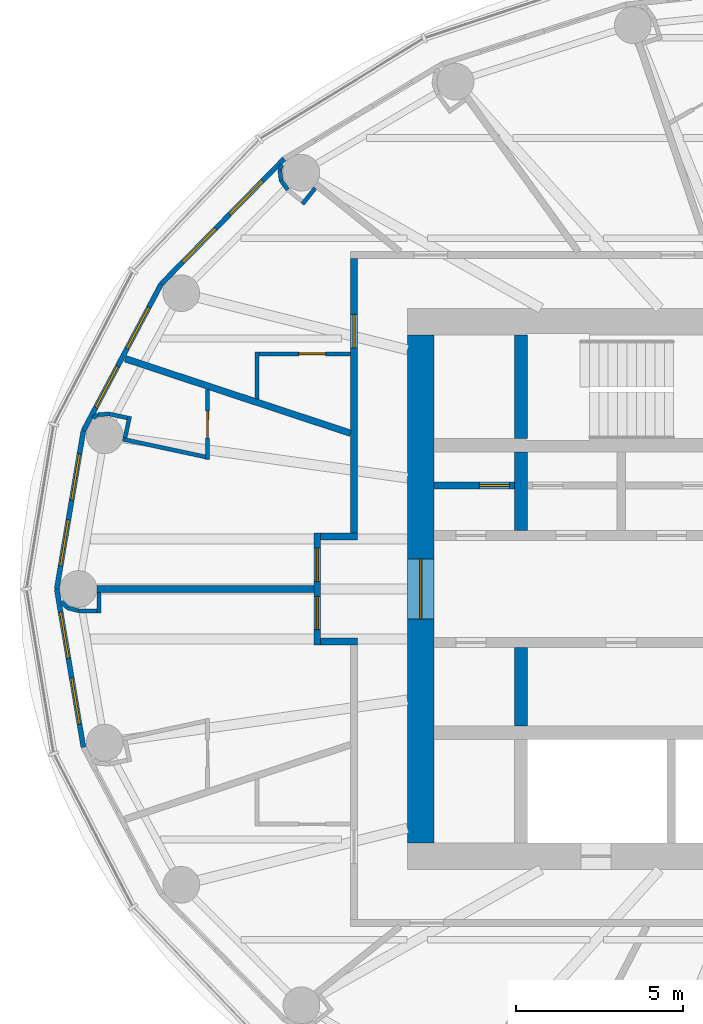
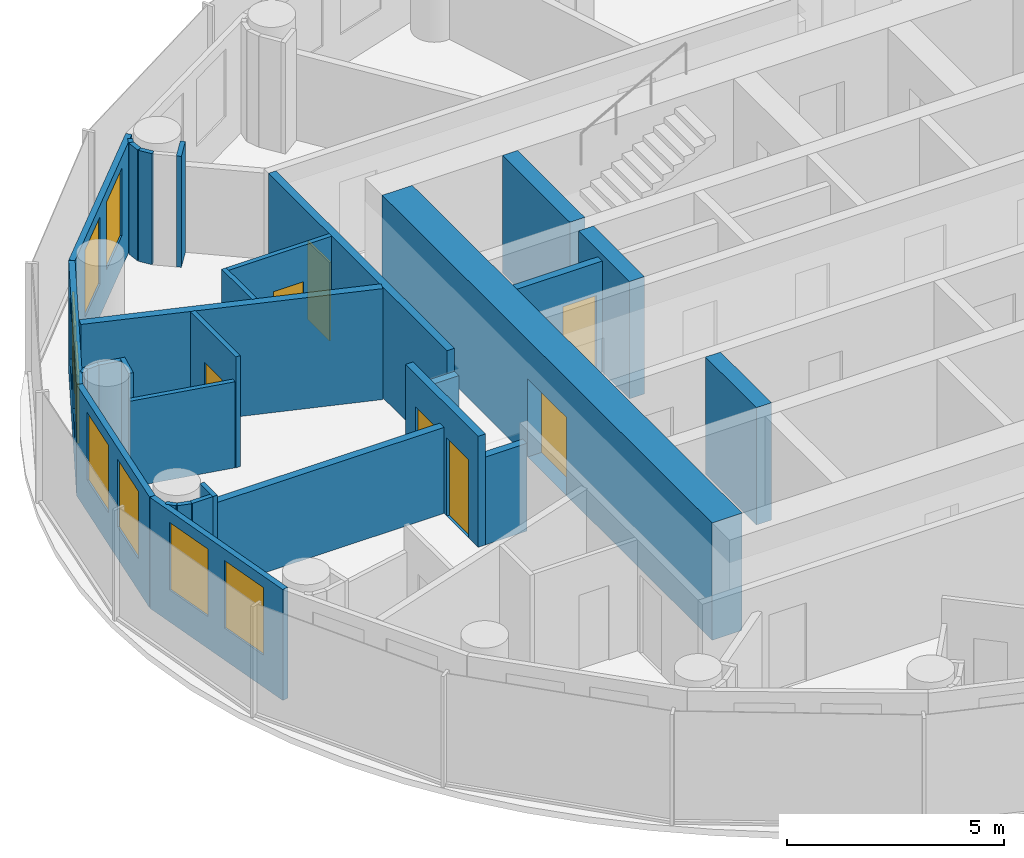
# One storey, part 8 of 13: 31 walls, 8 windows, 7 doors, 15 openings.
"""IFC4 building model written with IfcOpenShell, lengths in metres."""

from ifc_helpers import new_model, si_unit, direction, frame, frame_2d, origin, place, context, subcontext, project, spatial, rectangle, extrude, material, layer, layer_set, type_object, element, fill, save


model = new_model("IFC4")

# Units and contexts
model_context = context("Model", 3, precision=1e-05, world=origin(), true_north=direction((0.0, 1.0)))
body_context = subcontext(model_context, "Body", "Model", "MODEL_VIEW")
ifc_project = project(units=[si_unit("LENGTHUNIT", "METRE"), si_unit("AREAUNIT", "SQUARE_METRE"), si_unit("VOLUMEUNIT", "CUBIC_METRE"), si_unit("PLANEANGLEUNIT", "RADIAN"), si_unit("MASSUNIT", "GRAM", prefix="KILO")], contexts=[model_context])

# Site, building, storey
site_placement = place(None, origin())
site = spatial("IfcSite", under=ifc_project, at=site_placement, CompositionType="ELEMENT")
building_placement = place(site_placement, origin())
building = spatial("IfcBuilding", under=site, at=building_placement, Name="Hankou Lantern Tower", CompositionType="ELEMENT")
storey_placement = place(building_placement, frame((0.0, 0.0, 159.89990234375)))
storey = spatial("IfcBuildingStorey", under=building, at=storey_placement, Name="L42", CompositionType="ELEMENT", Elevation=159.89990234375)

# Wall, opening, door
ifc_material_1 = material(Name="Concrete C60", Category="concrete")
ifc_layer_1 = layer(ifc_material_1, 0.800048828125)
ifc_layer_set_1 = layer_set([ifc_layer_1], Name="Concrete C60")
wall_type_1 = type_object("IfcWallType", Name="CW2 CORE WALL 800", PredefinedType="SHEAR", material=ifc_layer_set_1)
wall_1_placement = place(storey_placement, frame((-12.0, 7.60009765625, 0.0), z_axis=(0.0, 0.0, 1.0), x_axis=(0.0, -1.0, 0.0)))
wall_1 = element("IfcWall", 1, at=wall_1_placement, inside=storey, type_object=wall_type_1, Name="Core wall west L42", PredefinedType="SHEAR", context=body_context, shape_type="SweptSolid", body=[
    extrude(rectangle(XDim=15.2001953125, YDim=0.800048828125, at=frame_2d((7.60009765625, 0.0))), origin(), (0.0, 0.0, 1.0), 3.300048828125),
])
opening_1_placement = place(wall_1_placement, frame((6.699951171875, 0.0, 0.0)))
opening_1 = element("IfcOpeningElement", 2, at=opening_1_placement, cuts=wall_1, Name="Opening D6", PredefinedType="OPENING", context=body_context, shape_type="SweptSolid", body=[
    extrude(rectangle(XDim=1.800048828125, YDim=2.199951171875, at=frame_2d((0.89990234375, 1.10009765625))), frame((0.0, 0.409912109375, 0.0), z_axis=(0.0, -1.0, 0.0), x_axis=(1.0, 0.0, 0.0)), (0.0, 0.0, 1.0), 0.820068359375),
])
ifc_material_2 = material(Name="Steel door leaf", Category="steel")
door_type_1 = type_object("IfcDoorType", Name="D6 LIFT LOBBY DOOR 1800X2200", OperationType="DOUBLE_DOOR_DOUBLE_SWING", PredefinedType="DOOR", material=ifc_material_2)
door_1_placement = place(opening_1_placement, origin())
door_1 = element("IfcDoor", 3, at=door_1_placement, inside=storey, type_object=door_type_1, Name="Lift lobby west door", OperationType="DOUBLE_DOOR_DOUBLE_SWING", OverallHeight=2.199951171875, OverallWidth=1.800048828125, PredefinedType="DOOR", context=body_context, shape_type="SweptSolid", body=[
    extrude(rectangle(XDim=1.800048828125, YDim=2.199951171875, at=frame_2d((0.89990234375, 1.10009765625))), frame((0.0, 0.02490234375, 0.0), z_axis=(0.0, -1.0, 0.0), x_axis=(1.0, 0.0, 0.0)), (0.0, 0.0, 1.0), 0.050048828125),
])
fill(opening_1, door_1)

# Walls
ifc_material_3 = material(Name="Concrete C60", Category="concrete")
ifc_layer_2 = layer(ifc_material_3, 0.39990234375)
ifc_layer_set_2 = layer_set([ifc_layer_2], Name="Concrete C60")
wall_type_2 = type_object("IfcWallType", Name="CW4 CORE CROSS WALL 400", PredefinedType="SHEAR", material=ifc_layer_set_2)
wall_2_placement = place(storey_placement, frame((-9.0, 4.5, 0.0), z_axis=(0.0, 0.0, 1.0), x_axis=(0.0, 1.0, 0.0)))
element("IfcWall", 4, at=wall_2_placement, inside=storey, type_object=wall_type_2, Name="Core strip wall L42", PredefinedType="SHEAR", context=body_context, shape_type="SweptSolid", body=[
    extrude(rectangle(XDim=3.10009765625, YDim=0.39990234375, at=frame_2d((1.550048828125, 0.0))), origin(), (0.0, 0.0, 1.0), 3.300048828125),
])
for number, where, z_axis, x_axis, name in (
    (5, (-9.0, 1.75, 0.0), (0.0, 0.0, 1.0), (0.0, 1.0, 0.0), "Core strip wall L42"),
    (6, (-9.0, -4.10009765625, 0.0), (0.0, 0.0, 1.0), (0.0, 1.0, 0.0), "Core strip wall L42"),
):
    element("IfcWall", number, at=place(storey_placement, frame(where, z_axis=z_axis, x_axis=x_axis)), inside=storey, type_object=wall_type_2, Name=name, PredefinedType="SHEAR", context=body_context, shape_type="SweptSolid", body=[
        extrude(rectangle(XDim=2.35009765625, YDim=0.39990234375, at=frame_2d((1.175048828125, 0.0))), origin(), (0.0, 0.0, 1.0), 3.300048828125),
    ])

# Wall, openings, windows
ifc_material_4 = material(Name="Aluminium spandrel panel on steel studs", Category="steel")
ifc_layer_3 = layer(ifc_material_4, 0.14990234375)
ifc_layer_set_3 = layer_set([ifc_layer_3], Name="Aluminium spandrel panel on steel studs")
wall_type_3 = type_object("IfcWallType", Name="EW1 INNER SKIN WALL 150", PredefinedType="ELEMENTEDWALL", material=ifc_layer_set_3)
wall_3_placement = place(storey_placement, frame((-16.0947265625, 12.875732421875, 0.0), z_axis=(0.0, 0.0, 1.0), x_axis=(-0.700727467776, -0.71342905457, 0.0)))
wall_3 = element("IfcWall", 7, at=wall_3_placement, inside=storey, type_object=wall_type_3, Name="Inner skin R10-R11 L42", PredefinedType="ELEMENTEDWALL", context=body_context, shape_type="SweptSolid", body=[
    extrude(rectangle(XDim=5.247314453125, YDim=0.14990234375, at=frame_2d((2.62353515625, 0.0))), origin(), (0.0, 0.0, 1.0), 3.1201171875),
])
opening_2_placement = place(wall_3_placement, frame((0.923583984375, 0.0, 0.89990234375)))
opening_2 = element("IfcOpeningElement", 8, at=opening_2_placement, cuts=wall_3, Name="Opening W3", PredefinedType="OPENING", context=body_context, shape_type="SweptSolid", body=[
    extrude(rectangle(XDim=1.39990234375, YDim=1.89990234375, at=frame_2d((0.699951171875, 0.949951171875))), frame((0.0, 0.0849609375, 0.0), z_axis=(0.0, -1.0, 0.0), x_axis=(1.0, 0.0, 0.0)), (0.0, 0.0, 1.0), 0.169921875),
])
opening_3_placement = place(wall_3_placement, frame((2.923583984375, 0.0, 0.89990234375)))
opening_3 = element("IfcOpeningElement", 9, at=opening_3_placement, cuts=wall_3, Name="Opening W3", PredefinedType="OPENING", context=body_context, shape_type="SweptSolid", body=[
    extrude(rectangle(XDim=1.39990234375, YDim=1.89990234375, at=frame_2d((0.699951171875, 0.949951171875))), frame((0.0, 0.0849609375, 0.0), z_axis=(0.0, -1.0, 0.0), x_axis=(1.0, 0.0, 0.0)), (0.0, 0.0, 1.0), 0.169921875),
])
ifc_material_5 = material(Name="Aluminium framed double glazed window", Category="aluminium")
window_type = type_object("IfcWindowType", Name="W3 GUEST ROOM WINDOW 1400X1900", PartitioningType="DOUBLE_PANEL_VERTICAL", PredefinedType="WINDOW", material=ifc_material_5)
window_1_placement = place(opening_2_placement, origin())
window_1 = element("IfcWindow", 10, at=window_1_placement, inside=storey, type_object=window_type, Name="Window R10.1 L42", OverallHeight=1.89990234375, OverallWidth=1.39990234375, PartitioningType="SINGLE_PANEL", PredefinedType="WINDOW", context=body_context, shape_type="SweptSolid", body=[
    extrude(rectangle(XDim=1.39990234375, YDim=1.89990234375, at=frame_2d((0.699951171875, 0.949951171875))), frame((0.0, 0.030029296875, 0.0), z_axis=(0.0, -1.0, 0.0), x_axis=(1.0, 0.0, 0.0)), (0.0, 0.0, 1.0), 0.06005859375),
])
fill(opening_2, window_1)
window_2_placement = place(opening_3_placement, origin())
window_2 = element("IfcWindow", 11, at=window_2_placement, inside=storey, type_object=window_type, Name="Window R10.2 L42", OverallHeight=1.89990234375, OverallWidth=1.39990234375, PartitioningType="SINGLE_PANEL", PredefinedType="WINDOW", context=body_context, shape_type="SweptSolid", body=[
    extrude(rectangle(XDim=1.39990234375, YDim=1.89990234375, at=frame_2d((0.699951171875, 0.949951171875))), frame((0.0, 0.030029296875, 0.0), z_axis=(0.0, -1.0, 0.0), x_axis=(1.0, 0.0, 0.0)), (0.0, 0.0, 1.0), 0.06005859375),
])
fill(opening_3, window_2)

wall_4_placement = place(storey_placement, frame((-19.771728515625, 9.132080078125, 0.0), z_axis=(0.0, 0.0, 1.0), x_axis=(-0.468428906714, -0.883501193748, 0.0)))
wall_4 = element("IfcWall", 12, at=wall_4_placement, inside=storey, type_object=wall_type_3, Name="Inner skin R11-R12 L42", PredefinedType="ELEMENTEDWALL", context=body_context, shape_type="SweptSolid", body=[
    extrude(rectangle(XDim=4.9736328125, YDim=0.14990234375, at=frame_2d((2.48681640625, 0.0))), origin(), (0.0, 0.0, 1.0), 3.1201171875),
])
opening_4_placement = place(wall_4_placement, frame((0.786865234375, 0.0, 0.89990234375)))
opening_4 = element("IfcOpeningElement", 13, at=opening_4_placement, cuts=wall_4, Name="Opening W3", PredefinedType="OPENING", context=body_context, shape_type="SweptSolid", body=[
    extrude(rectangle(XDim=1.39990234375, YDim=1.89990234375, at=frame_2d((0.699951171875, 0.949951171875))), frame((0.0, 0.0849609375, 0.0), z_axis=(0.0, -1.0, 0.0), x_axis=(1.0, 0.0, 0.0)), (0.0, 0.0, 1.0), 0.169921875),
])
opening_5_placement = place(wall_4_placement, frame((2.786865234375, 0.0, 0.89990234375)))
opening_5 = element("IfcOpeningElement", 14, at=opening_5_placement, cuts=wall_4, Name="Opening W3", PredefinedType="OPENING", context=body_context, shape_type="SweptSolid", body=[
    extrude(rectangle(XDim=1.39990234375, YDim=1.89990234375, at=frame_2d((0.699951171875, 0.949951171875))), frame((0.0, 0.0849609375, 0.0), z_axis=(0.0, -1.0, 0.0), x_axis=(1.0, 0.0, 0.0)), (0.0, 0.0, 1.0), 0.169921875),
])
window_3_placement = place(opening_4_placement, origin())
window_3 = element("IfcWindow", 15, at=window_3_placement, inside=storey, type_object=window_type, Name="Window R11.1 L42", OverallHeight=1.89990234375, OverallWidth=1.39990234375, PartitioningType="SINGLE_PANEL", PredefinedType="WINDOW", context=body_context, shape_type="SweptSolid", body=[
    extrude(rectangle(XDim=1.39990234375, YDim=1.89990234375, at=frame_2d((0.699951171875, 0.949951171875))), frame((0.0, 0.030029296875, 0.0), z_axis=(0.0, -1.0, 0.0), x_axis=(1.0, 0.0, 0.0)), (0.0, 0.0, 1.0), 0.06005859375),
])
fill(opening_4, window_3)
window_4_placement = place(opening_5_placement, origin())
window_4 = element("IfcWindow", 16, at=window_4_placement, inside=storey, type_object=window_type, Name="Window R11.2 L42", OverallHeight=1.89990234375, OverallWidth=1.39990234375, PartitioningType="SINGLE_PANEL", PredefinedType="WINDOW", context=body_context, shape_type="SweptSolid", body=[
    extrude(rectangle(XDim=1.39990234375, YDim=1.89990234375, at=frame_2d((0.699951171875, 0.949951171875))), frame((0.0, 0.030029296875, 0.0), z_axis=(0.0, -1.0, 0.0), x_axis=(1.0, 0.0, 0.0)), (0.0, 0.0, 1.0), 0.06005859375),
])
fill(opening_5, window_4)

wall_5_placement = place(storey_placement, frame((-22.1015625, 4.73779296875, 0.0), z_axis=(0.0, 0.0, 1.0), x_axis=(-0.166162111254, -0.986098449843, 0.0)))
wall_5 = element("IfcWall", 17, at=wall_5_placement, inside=storey, type_object=wall_type_3, Name="Inner skin R12-R13 L42", PredefinedType="ELEMENTEDWALL", context=body_context, shape_type="SweptSolid", body=[
    extrude(rectangle(XDim=4.8046875, YDim=0.14990234375, at=frame_2d((2.40234375, 0.0))), origin(), (0.0, 0.0, 1.0), 3.1201171875),
])
opening_6_placement = place(wall_5_placement, frame((0.7021484375, 0.0, 0.89990234375)))
opening_6 = element("IfcOpeningElement", 18, at=opening_6_placement, cuts=wall_5, Name="Opening W3", PredefinedType="OPENING", context=body_context, shape_type="SweptSolid", body=[
    extrude(rectangle(XDim=1.39990234375, YDim=1.89990234375, at=frame_2d((0.699951171875, 0.949951171875))), frame((0.0, 0.0849609375, 0.0), z_axis=(0.0, -1.0, 0.0), x_axis=(1.0, 0.0, 0.0)), (0.0, 0.0, 1.0), 0.169921875),
])
opening_7_placement = place(wall_5_placement, frame((2.7021484375, 0.0, 0.89990234375)))
opening_7 = element("IfcOpeningElement", 19, at=opening_7_placement, cuts=wall_5, Name="Opening W3", PredefinedType="OPENING", context=body_context, shape_type="SweptSolid", body=[
    extrude(rectangle(XDim=1.39990234375, YDim=1.89990234375, at=frame_2d((0.699951171875, 0.949951171875))), frame((0.0, 0.0849609375, 0.0), z_axis=(0.0, -1.0, 0.0), x_axis=(1.0, 0.0, 0.0)), (0.0, 0.0, 1.0), 0.169921875),
])
window_5_placement = place(opening_6_placement, origin())
window_5 = element("IfcWindow", 20, at=window_5_placement, inside=storey, type_object=window_type, Name="Window R12.1 L42", OverallHeight=1.89990234375, OverallWidth=1.39990234375, PartitioningType="SINGLE_PANEL", PredefinedType="WINDOW", context=body_context, shape_type="SweptSolid", body=[
    extrude(rectangle(XDim=1.39990234375, YDim=1.89990234375, at=frame_2d((0.699951171875, 0.949951171875))), frame((0.0, 0.030029296875, 0.0), z_axis=(0.0, -1.0, 0.0), x_axis=(1.0, 0.0, 0.0)), (0.0, 0.0, 1.0), 0.06005859375),
])
fill(opening_6, window_5)
window_6_placement = place(opening_7_placement, origin())
window_6 = element("IfcWindow", 21, at=window_6_placement, inside=storey, type_object=window_type, Name="Window R12.2 L42", OverallHeight=1.89990234375, OverallWidth=1.39990234375, PartitioningType="SINGLE_PANEL", PredefinedType="WINDOW", context=body_context, shape_type="SweptSolid", body=[
    extrude(rectangle(XDim=1.39990234375, YDim=1.89990234375, at=frame_2d((0.699951171875, 0.949951171875))), frame((0.0, 0.030029296875, 0.0), z_axis=(0.0, -1.0, 0.0), x_axis=(1.0, 0.0, 0.0)), (0.0, 0.0, 1.0), 0.06005859375),
])
fill(opening_7, window_6)

wall_6_placement = place(storey_placement, frame((-22.89990234375, 0.0, 0.0), z_axis=(0.0, 0.0, 1.0), x_axis=(0.166162111254, -0.986098449843, 0.0)))
wall_6 = element("IfcWall", 22, at=wall_6_placement, inside=storey, type_object=wall_type_3, Name="Inner skin R13-R14 L42", PredefinedType="ELEMENTEDWALL", context=body_context, shape_type="SweptSolid", body=[
    extrude(rectangle(XDim=4.8046875, YDim=0.14990234375, at=frame_2d((2.40234375, 0.0))), origin(), (0.0, 0.0, 1.0), 3.1201171875),
])
opening_8_placement = place(wall_6_placement, frame((0.7021484375, 0.0, 0.89990234375)))
opening_8 = element("IfcOpeningElement", 23, at=opening_8_placement, cuts=wall_6, Name="Opening W3", PredefinedType="OPENING", context=body_context, shape_type="SweptSolid", body=[
    extrude(rectangle(XDim=1.39990234375, YDim=1.89990234375, at=frame_2d((0.699951171875, 0.949951171875))), frame((0.0, 0.0849609375, 0.0), z_axis=(0.0, -1.0, 0.0), x_axis=(1.0, 0.0, 0.0)), (0.0, 0.0, 1.0), 0.169921875),
])
opening_9_placement = place(wall_6_placement, frame((2.7021484375, 0.0, 0.89990234375)))
opening_9 = element("IfcOpeningElement", 24, at=opening_9_placement, cuts=wall_6, Name="Opening W3", PredefinedType="OPENING", context=body_context, shape_type="SweptSolid", body=[
    extrude(rectangle(XDim=1.39990234375, YDim=1.89990234375, at=frame_2d((0.699951171875, 0.949951171875))), frame((0.0, 0.0849609375, 0.0), z_axis=(0.0, -1.0, 0.0), x_axis=(1.0, 0.0, 0.0)), (0.0, 0.0, 1.0), 0.169921875),
])
window_7_placement = place(opening_8_placement, origin())
window_7 = element("IfcWindow", 25, at=window_7_placement, inside=storey, type_object=window_type, Name="Window R13.1 L42", OverallHeight=1.89990234375, OverallWidth=1.39990234375, PartitioningType="SINGLE_PANEL", PredefinedType="WINDOW", context=body_context, shape_type="SweptSolid", body=[
    extrude(rectangle(XDim=1.39990234375, YDim=1.89990234375, at=frame_2d((0.699951171875, 0.949951171875))), frame((0.0, 0.030029296875, 0.0), z_axis=(0.0, -1.0, 0.0), x_axis=(1.0, 0.0, 0.0)), (0.0, 0.0, 1.0), 0.06005859375),
])
fill(opening_8, window_7)
window_8_placement = place(opening_9_placement, origin())
window_8 = element("IfcWindow", 26, at=window_8_placement, inside=storey, type_object=window_type, Name="Window R13.2 L42", OverallHeight=1.89990234375, OverallWidth=1.39990234375, PartitioningType="SINGLE_PANEL", PredefinedType="WINDOW", context=body_context, shape_type="SweptSolid", body=[
    extrude(rectangle(XDim=1.39990234375, YDim=1.89990234375, at=frame_2d((0.699951171875, 0.949951171875))), frame((0.0, 0.030029296875, 0.0), z_axis=(0.0, -1.0, 0.0), x_axis=(1.0, 0.0, 0.0)), (0.0, 0.0, 1.0), 0.06005859375),
])
fill(opening_9, window_8)

# Walls
ifc_material_6 = material(Name="Masonry lightweight concrete block", Category="masonry")
ifc_layer_4 = layer(ifc_material_6, 0.199951171875)
ifc_layer_set_4 = layer_set([ifc_layer_4], Name="Masonry lightweight concrete block")
wall_type_4 = type_object("IfcWallType", Name="IW1 GUEST ROOM PARTY WALL 200", PredefinedType="PARTITIONING", material=ifc_layer_set_4)
wall_7_placement = place(storey_placement, frame((-14.10009765625, 4.661376953125, 0.0), z_axis=(0.0, 0.0, 1.0), x_axis=(-0.949453216399, 0.313908569285, 0.0)))
element("IfcWall", 27, at=wall_7_placement, inside=storey, type_object=wall_type_4, Name="Party wall R11-R12", PredefinedType="PARTITIONING", context=body_context, shape_type="SweptSolid", body=[
    extrude(rectangle(XDim=7.108642578125, YDim=0.199951171875, at=frame_2d((3.55419921875, 0.0))), origin(), (0.0, 0.0, 1.0), 3.1201171875),
])
wall_8_placement = place(storey_placement, frame((-15.199951171875, 0.0, 0.0), z_axis=(0.0, 0.0, 1.0), x_axis=(-1.0, 0.0, 0.0)))
element("IfcWall", 28, at=wall_8_placement, inside=storey, type_object=wall_type_4, Name="Party wall R13", PredefinedType="PARTITIONING", context=body_context, shape_type="SweptSolid", body=[
    extrude(rectangle(XDim=6.5, YDim=0.199951171875, at=frame_2d((3.25, 0.0))), origin(), (0.0, 0.0, 1.0), 2.420166015625),
])

# Wall, openings, doors
ifc_material_7 = material(Name="Masonry lightweight concrete block", Category="masonry")
ifc_layer_5 = layer(ifc_material_7, 0.199951171875)
ifc_layer_set_5 = layer_set([ifc_layer_5], Name="Masonry lightweight concrete block")
wall_type_5 = type_object("IfcWallType", Name="IW2 CORRIDOR WALL 200", PredefinedType="PARTITIONING", material=ifc_layer_set_5)
wall_9_placement = place(storey_placement, frame((-15.10009765625, 1.669921875, 0.0), z_axis=(0.0, 0.0, 1.0), x_axis=(0.0, -1.0, 0.0)))
wall_9 = element("IfcWall", 29, at=wall_9_placement, inside=storey, type_object=wall_type_5, Name="Corridor alcove wall 4203-4204 back", PredefinedType="PARTITIONING", context=body_context, shape_type="SweptSolid", body=[
    extrude(rectangle(XDim=3.33984375, YDim=0.199951171875, at=frame_2d((1.669921875, 0.0))), origin(), (0.0, 0.0, 1.0), 3.1201171875),
])
opening_10_placement = place(wall_9_placement, frame((0.449951171875, 0.0, 0.0)))
opening_10 = element("IfcOpeningElement", 30, at=opening_10_placement, cuts=wall_9, Name="Opening D1", PredefinedType="OPENING", context=body_context, shape_type="SweptSolid", body=[
    extrude(rectangle(XDim=1.0, YDim=2.199951171875, at=frame_2d((0.5, 1.10009765625))), frame((0.0, 0.10986328125, 0.0), z_axis=(0.0, -1.0, 0.0), x_axis=(1.0, 0.0, 0.0)), (0.0, 0.0, 1.0), 0.219970703125),
])
opening_11_placement = place(wall_9_placement, frame((1.889892578125, 0.0, 0.0)))
opening_11 = element("IfcOpeningElement", 31, at=opening_11_placement, cuts=wall_9, Name="Opening D1", PredefinedType="OPENING", context=body_context, shape_type="SweptSolid", body=[
    extrude(rectangle(XDim=1.0, YDim=2.199951171875, at=frame_2d((0.5, 1.10009765625))), frame((0.0, 0.10986328125, 0.0), z_axis=(0.0, -1.0, 0.0), x_axis=(1.0, 0.0, 0.0)), (0.0, 0.0, 1.0), 0.219970703125),
])
ifc_material_8 = material(Name="Steel door leaf", Category="steel")
door_type_2 = type_object("IfcDoorType", Name="D1 GUEST ROOM DOOR 1000X2200", OperationType="SINGLE_SWING_LEFT", PredefinedType="DOOR", material=ifc_material_8)
door_2_placement = place(opening_10_placement, origin())
door_2 = element("IfcDoor", 32, at=door_2_placement, inside=storey, type_object=door_type_2, Name="Guest room door 4203", OperationType="SINGLE_SWING_LEFT", OverallHeight=2.199951171875, OverallWidth=1.0, PredefinedType="DOOR", context=body_context, shape_type="SweptSolid", body=[
    extrude(rectangle(XDim=1.0, YDim=2.199951171875, at=frame_2d((0.5, 1.10009765625))), frame((0.0, 0.02490234375, 0.0), z_axis=(0.0, -1.0, 0.0), x_axis=(1.0, 0.0, 0.0)), (0.0, 0.0, 1.0), 0.050048828125),
])
fill(opening_10, door_2)
door_3_placement = place(opening_11_placement, origin())
door_3 = element("IfcDoor", 33, at=door_3_placement, inside=storey, type_object=door_type_2, Name="Guest room door 4204", OperationType="SINGLE_SWING_RIGHT", OverallHeight=2.199951171875, OverallWidth=1.0, PredefinedType="DOOR", context=body_context, shape_type="SweptSolid", body=[
    extrude(rectangle(XDim=1.0, YDim=2.199951171875, at=frame_2d((0.5, 1.10009765625))), frame((0.0, 0.02490234375, 0.0), z_axis=(0.0, -1.0, 0.0), x_axis=(1.0, 0.0, 0.0)), (0.0, 0.0, 1.0), 0.050048828125),
])
fill(opening_11, door_3)

# Walls
for number, where, z_axis, x_axis, name in (
    (34, (-13.89990234375, 1.570068359375, 0.0), (0.0, 0.0, 1.0), (-1.0, 0.0, 0.0), "Corridor alcove wall 4203-4204 left"),
    (35, (-13.89990234375, -1.570068359375, 0.0), (0.0, 0.0, 1.0), (-1.0, 0.0, 0.0), "Corridor alcove wall 4203-4204 right"),
):
    element("IfcWall", number, at=place(storey_placement, frame(where, z_axis=z_axis, x_axis=x_axis)), inside=storey, type_object=wall_type_5, Name=name, PredefinedType="PARTITIONING", context=body_context, shape_type="SweptSolid", body=[
        extrude(rectangle(XDim=1.10009765625, YDim=0.199951171875, at=frame_2d((0.550048828125, 0.0))), origin(), (0.0, 0.0, 1.0), 2.47021484375),
    ])

# Wall, opening, door
wall_10_placement = place(storey_placement, frame((-14.0, 9.89990234375, 0.0), z_axis=(0.0, 0.0, 1.0), x_axis=(0.0, -1.0, 0.0)))
wall_10 = element("IfcWall", 36, at=wall_10_placement, inside=storey, type_object=wall_type_5, Name="Corridor wall west", PredefinedType="PARTITIONING", context=body_context, shape_type="SweptSolid", body=[
    extrude(rectangle(XDim=8.22998046875, YDim=0.199951171875, at=frame_2d((4.114990234375, 0.0))), origin(), (0.0, 0.0, 1.0), 3.1201171875),
])
opening_12_placement = place(wall_10_placement, frame((1.678466796875, 0.0, 0.0)))
opening_12 = element("IfcOpeningElement", 37, at=opening_12_placement, cuts=wall_10, Name="Opening D1", PredefinedType="OPENING", context=body_context, shape_type="SweptSolid", body=[
    extrude(rectangle(XDim=1.0, YDim=2.199951171875, at=frame_2d((0.5, 1.10009765625))), frame((0.0, 0.10986328125, 0.0), z_axis=(0.0, -1.0, 0.0), x_axis=(1.0, 0.0, 0.0)), (0.0, 0.0, 1.0), 0.219970703125),
])
door_4_placement = place(opening_12_placement, origin())
door_4 = element("IfcDoor", 38, at=door_4_placement, inside=storey, type_object=door_type_2, Name="Guest room door 4202", OperationType="SINGLE_SWING_LEFT", OverallHeight=2.199951171875, OverallWidth=1.0, PredefinedType="DOOR", context=body_context, shape_type="SweptSolid", body=[
    extrude(rectangle(XDim=1.0, YDim=2.199951171875, at=frame_2d((0.5, 1.10009765625))), frame((0.0, 0.02490234375, 0.0), z_axis=(0.0, -1.0, 0.0), x_axis=(1.0, 0.0, 0.0)), (0.0, 0.0, 1.0), 0.050048828125),
])
fill(opening_12, door_4)

# Wall
ifc_material_9 = material(Name="Masonry lightweight concrete block", Category="masonry")
ifc_layer_6 = layer(ifc_material_9, 0.1201171875)
ifc_layer_set_6 = layer_set([ifc_layer_6], Name="Masonry lightweight concrete block")
wall_type_6 = type_object("IfcWallType", Name="IW3 BATHROOM WALL 120", PredefinedType="PARTITIONING", material=ifc_layer_set_6)
wall_11_placement = place(storey_placement, frame((-16.89990234375, 5.687255859375, 0.0), z_axis=(0.0, 0.0, 1.0), x_axis=(0.0, 1.0, 0.0)))
element("IfcWall", 39, at=wall_11_placement, inside=storey, type_object=wall_type_6, Name="Box wall 4202 1", PredefinedType="PARTITIONING", context=body_context, shape_type="SweptSolid", body=[
    extrude(rectangle(XDim=1.414306640625, YDim=0.1201171875, at=frame_2d((0.70703125, 0.0))), origin(), (0.0, 0.0, 1.0), 3.1201171875),
])

# Wall, opening, door
wall_12_placement = place(storey_placement, frame((-14.10009765625, 7.04150390625, 0.0), z_axis=(0.0, 0.0, 1.0), x_axis=(-1.0, 0.0, 0.0)))
wall_12 = element("IfcWall", 40, at=wall_12_placement, inside=storey, type_object=wall_type_6, Name="Box wall 4202 1", PredefinedType="PARTITIONING", context=body_context, shape_type="SweptSolid", body=[
    extrude(rectangle(XDim=2.739990234375, YDim=0.1201171875, at=frame_2d((1.3701171875, 0.0))), origin(), (0.0, 0.0, 1.0), 3.1201171875),
])
opening_13_placement = place(wall_12_placement, frame((0.75, 0.0, 0.0)))
opening_13 = element("IfcOpeningElement", 41, at=opening_13_placement, cuts=wall_12, Name="Opening D3", PredefinedType="OPENING", context=body_context, shape_type="SweptSolid", body=[
    extrude(rectangle(XDim=0.800048828125, YDim=2.10009765625, at=frame_2d((0.39990234375, 1.050048828125))), frame((0.0, 0.070068359375, 0.0), z_axis=(0.0, -1.0, 0.0), x_axis=(1.0, 0.0, 0.0)), (0.0, 0.0, 1.0), 0.14013671875),
])
ifc_material_10 = material(Name="Timber door leaf", Category="wood")
door_type_3 = type_object("IfcDoorType", Name="D3 BATHROOM DOOR 800X2100", OperationType="SINGLE_SWING_LEFT", PredefinedType="DOOR", material=ifc_material_10)
door_5_placement = place(opening_13_placement, origin())
door_5 = element("IfcDoor", 42, at=door_5_placement, inside=storey, type_object=door_type_3, Name="En-suite bathroom 4202 door", OperationType="SINGLE_SWING_LEFT", OverallHeight=2.10009765625, OverallWidth=0.800048828125, PredefinedType="DOOR", context=body_context, shape_type="SweptSolid", body=[
    extrude(rectangle(XDim=0.800048828125, YDim=2.10009765625, at=frame_2d((0.39990234375, 1.050048828125))), frame((0.0, 0.02490234375, 0.0), z_axis=(0.0, -1.0, 0.0), x_axis=(1.0, 0.0, 0.0)), (0.0, 0.0, 1.0), 0.050048828125),
])
fill(opening_13, door_5)

wall_13_placement = place(storey_placement, frame((-18.380859375, 5.971435546875, 0.0), z_axis=(0.0, 0.0, 1.0), x_axis=(-0.000934142516, -0.999999563689, 0.0)))
wall_13 = element("IfcWall", 43, at=wall_13_placement, inside=storey, type_object=wall_type_6, Name="Box wall 4203 1", PredefinedType="PARTITIONING", context=body_context, shape_type="SweptSolid", body=[
    extrude(rectangle(XDim=2.0908203125, YDim=0.1201171875, at=frame_2d((1.04541015625, 0.0))), origin(), (0.0, 0.0, 1.0), 3.1201171875),
])
opening_14_placement = place(wall_13_placement, frame((0.6455078125, 0.0, 0.0)))
opening_14 = element("IfcOpeningElement", 44, at=opening_14_placement, cuts=wall_13, Name="Opening D3", PredefinedType="OPENING", context=body_context, shape_type="SweptSolid", body=[
    extrude(rectangle(XDim=0.800048828125, YDim=2.10009765625, at=frame_2d((0.39990234375, 1.050048828125))), frame((0.0, 0.070068359375, 0.0), z_axis=(0.0, -1.0, 0.0), x_axis=(1.0, 0.0, 0.0)), (0.0, 0.0, 1.0), 0.14013671875),
])
door_6_placement = place(opening_14_placement, origin())
door_6 = element("IfcDoor", 45, at=door_6_placement, inside=storey, type_object=door_type_3, Name="En-suite bathroom 4203 door", OperationType="SINGLE_SWING_LEFT", OverallHeight=2.10009765625, OverallWidth=0.800048828125, PredefinedType="DOOR", context=body_context, shape_type="SweptSolid", body=[
    extrude(rectangle(XDim=0.800048828125, YDim=2.10009765625, at=frame_2d((0.39990234375, 1.050048828125))), frame((0.0, 0.02490234375, 0.0), z_axis=(0.0, -1.0, 0.0), x_axis=(1.0, 0.0, 0.0)), (0.0, 0.0, 1.0), 0.050048828125),
])
fill(opening_14, door_6)

# Walls
wall_14_placement = place(storey_placement, frame((-18.44140625, 3.953125, 0.0), z_axis=(0.0, 0.0, 1.0), x_axis=(-0.977801007461, 0.209535652833, 0.0)))
element("IfcWall", 46, at=wall_14_placement, inside=storey, type_object=wall_type_6, Name="Box wall 4203 2", PredefinedType="PARTITIONING", context=body_context, shape_type="SweptSolid", body=[
    extrude(rectangle(XDim=2.5400390625, YDim=0.1201171875, at=frame_2d((1.27001953125, 0.0))), origin(), (0.0, 0.0, 1.0), 2.420166015625),
])
wall_15_placement = place(storey_placement, frame((-20.853759765625, 4.531494140625, 0.0), z_axis=(0.0, 0.0, 1.0), x_axis=(0.209631346779, 0.977780496046, 0.0)))
element("IfcWall", 47, at=wall_15_placement, inside=storey, type_object=wall_type_6, Name="Column casing 4203 return", PredefinedType="PARTITIONING", context=body_context, shape_type="SweptSolid", body=[
    extrude(rectangle(XDim=0.652099609375, YDim=0.1201171875, at=frame_2d((0.326171875, 0.0))), origin(), (0.0, 0.0, 1.0), 3.1201171875),
])
wall_16_placement = place(storey_placement, frame((-20.788330078125, 5.123291015625, 0.0), z_axis=(0.0, 0.0, 1.0), x_axis=(-0.977789415726, 0.209589738521, 0.0)))
element("IfcWall", 48, at=wall_16_placement, inside=storey, type_object=wall_type_6, Name="Column casing 4203", PredefinedType="PARTITIONING", context=body_context, shape_type="SweptSolid", body=[
    extrude(rectangle(XDim=0.5498046875, YDim=0.1201171875, at=frame_2d((0.27490234375, 0.0))), origin(), (0.0, 0.0, 1.0), 3.1201171875),
])
wall_17_placement = place(storey_placement, frame((-21.325927734375, 5.238525390625, 0.0), z_axis=(0.0, 0.0, 1.0), x_axis=(-0.998719689441, -0.050586380797, 0.0)))
element("IfcWall", 49, at=wall_17_placement, inside=storey, type_object=wall_type_6, Name="Column casing 4203", PredefinedType="PARTITIONING", context=body_context, shape_type="SweptSolid", body=[
    extrude(rectangle(XDim=0.337890625, YDim=0.1201171875, at=frame_2d((0.1689453125, 0.0))), origin(), (0.0, 0.0, 1.0), 3.1201171875),
])
wall_18_placement = place(storey_placement, frame((-21.663330078125, 5.221435546875, 0.0), z_axis=(0.0, 0.0, 1.0), x_axis=(-0.839279022252, -0.543700949795, 0.0)))
element("IfcWall", 50, at=wall_18_placement, inside=storey, type_object=wall_type_6, Name="Column casing 4203", PredefinedType="PARTITIONING", context=body_context, shape_type="SweptSolid", body=[
    extrude(rectangle(XDim=0.18017578125, YDim=0.1201171875, at=frame_2d((0.090087890625, 0.0))), origin(), (0.0, 0.0, 1.0), 3.1201171875),
])
ifc_material_11 = material(Name="Masonry lightweight concrete block", Category="masonry")
ifc_layer_7 = layer(ifc_material_11, 0.1201171875)
ifc_layer_set_7 = layer_set([ifc_layer_7], Name="Masonry lightweight concrete block")
wall_type_7 = type_object("IfcWallType", Name="IW4 PARTITION 120", PredefinedType="PARTITIONING", material=ifc_layer_set_7)
wall_19_placement = place(storey_placement, frame((-15.162353515625, 12.001708984375, 0.0), z_axis=(0.0, 0.0, 1.0), x_axis=(-0.624597762427, -0.780946627607, 0.0)))
element("IfcWall", 51, at=wall_19_placement, inside=storey, type_object=wall_type_7, Name="Column casing R10 return", PredefinedType="PARTITIONING", context=body_context, shape_type="SweptSolid", body=[
    extrude(rectangle(XDim=0.612060546875, YDim=0.1201171875, at=frame_2d((0.30615234375, 0.0))), origin(), (0.0, 0.0, 1.0), 3.1201171875),
])
wall_20_placement = place(storey_placement, frame((-15.983642578125, 11.95166015625, 0.0), z_axis=(0.0, 0.0, 1.0), x_axis=(-0.592335221171, 0.805691619517, 0.0)))
element("IfcWall", 52, at=wall_20_placement, inside=storey, type_object=wall_type_7, Name="Column casing R10", PredefinedType="PARTITIONING", context=body_context, shape_type="SweptSolid", body=[
    extrude(rectangle(XDim=0.337646484375, YDim=0.1201171875, at=frame_2d((0.1689453125, 0.0))), origin(), (0.0, 0.0, 1.0), 3.1201171875),
])
wall_21_placement = place(storey_placement, frame((-16.18359375, 12.2236328125, 0.0), z_axis=(0.0, 0.0, 1.0), x_axis=(-0.110669692975, 0.993857242795, 0.0)))
element("IfcWall", 53, at=wall_21_placement, inside=storey, type_object=wall_type_7, Name="Column casing R10", PredefinedType="PARTITIONING", context=body_context, shape_type="SweptSolid", body=[
    extrude(rectangle(XDim=0.33740234375, YDim=0.1201171875, at=frame_2d((0.168701171875, 0.0))), origin(), (0.0, 0.0, 1.0), 3.1201171875),
])
wall_22_placement = place(storey_placement, frame((-16.220947265625, 12.55908203125, 0.0), z_axis=(0.0, 0.0, 1.0), x_axis=(0.401064416249, 0.916049853457, 0.0)))
element("IfcWall", 54, at=wall_22_placement, inside=storey, type_object=wall_type_7, Name="Column casing R10", PredefinedType="PARTITIONING", context=body_context, shape_type="SweptSolid", body=[
    extrude(rectangle(XDim=0.156494140625, YDim=0.1201171875, at=frame_2d((0.078125, 0.0))), origin(), (0.0, 0.0, 1.0), 3.1201171875),
])
wall_23_placement = place(storey_placement, frame((-21.639892578125, -0.10009765625, 0.0), z_axis=(0.0, 0.0, 1.0), x_axis=(0.0, -1.0, 0.0)))
element("IfcWall", 55, at=wall_23_placement, inside=storey, type_object=wall_type_7, Name="Column casing R13 return", PredefinedType="PARTITIONING", context=body_context, shape_type="SweptSolid", body=[
    extrude(rectangle(XDim=0.612060546875, YDim=0.1201171875, at=frame_2d((0.30615234375, 0.0))), origin(), (0.0, 0.0, 1.0), 3.1201171875),
])
wall_24_placement = place(storey_placement, frame((-21.699951171875, -0.65234375, 0.0), z_axis=(0.0, 0.0, 1.0), x_axis=(-1.0, 0.0, 0.0)))
element("IfcWall", 56, at=wall_24_placement, inside=storey, type_object=wall_type_7, Name="Column casing R13", PredefinedType="PARTITIONING", context=body_context, shape_type="SweptSolid", body=[
    extrude(rectangle(XDim=0.550048828125, YDim=0.1201171875, at=frame_2d((0.27490234375, 0.0))), origin(), (0.0, 0.0, 1.0), 3.1201171875),
])
wall_25_placement = place(storey_placement, frame((-22.25, -0.65234375, 0.0), z_axis=(0.0, 0.0, 1.0), x_axis=(-0.965922233104, 0.258832454679, 0.0)))
element("IfcWall", 57, at=wall_25_placement, inside=storey, type_object=wall_type_7, Name="Column casing R13", PredefinedType="PARTITIONING", context=body_context, shape_type="SweptSolid", body=[
    extrude(rectangle(XDim=0.337646484375, YDim=0.1201171875, at=frame_2d((0.1689453125, 0.0))), origin(), (0.0, 0.0, 1.0), 3.1201171875),
])
wall_26_placement = place(storey_placement, frame((-22.576171875, -0.56494140625, 0.0), z_axis=(0.0, 0.0, 1.0), x_axis=(-0.706639272724, 0.707573980757, 0.0)))
element("IfcWall", 58, at=wall_26_placement, inside=storey, type_object=wall_type_7, Name="Column casing R13", PredefinedType="PARTITIONING", context=body_context, shape_type="SweptSolid", body=[
    extrude(rectangle(XDim=0.26123046875, YDim=0.1201171875, at=frame_2d((0.130615234375, 0.0))), origin(), (0.0, 0.0, 1.0), 3.1201171875),
])

# Wall, opening, door
ifc_material_12 = material(Name="Masonry lightweight concrete block", Category="masonry")
ifc_layer_8 = layer(ifc_material_12, 0.199951171875)
ifc_layer_set_8 = layer_set([ifc_layer_8], Name="Masonry lightweight concrete block")
wall_type_8 = type_object("IfcWallType", Name="IW8 PARTITION 200", PredefinedType="PARTITIONING", material=ifc_layer_set_8)
wall_27_placement = place(storey_placement, frame((-11.60009765625, 3.10009765625, 0.0), z_axis=(0.0, 0.0, 1.0), x_axis=(1.0, 0.0, 0.0)))
wall_27 = element("IfcWall", 59, at=wall_27_placement, inside=storey, type_object=wall_type_8, Name="Partition engineering store", PredefinedType="PARTITIONING", context=body_context, shape_type="SweptSolid", body=[
    extrude(rectangle(XDim=2.400146484375, YDim=0.199951171875, at=frame_2d((1.2001953125, 0.0))), origin(), (0.0, 0.0, 1.0), 3.1201171875),
])
opening_15_placement = place(wall_27_placement, frame((1.35009765625, 0.0, 0.0)))
opening_15 = element("IfcOpeningElement", 60, at=opening_15_placement, cuts=wall_27, Name="Opening D12", PredefinedType="OPENING", context=body_context, shape_type="SweptSolid", body=[
    extrude(rectangle(XDim=0.89990234375, YDim=2.199951171875, at=frame_2d((0.449951171875, 1.10009765625))), frame((0.0, 0.10986328125, 0.0), z_axis=(0.0, -1.0, 0.0), x_axis=(1.0, 0.0, 0.0)), (0.0, 0.0, 1.0), 0.219970703125),
])
ifc_material_13 = material(Name="Steel door leaf", Category="steel")
door_type_4 = type_object("IfcDoorType", Name="D12 STORE DOOR 900X2200", OperationType="SINGLE_SWING_LEFT", PredefinedType="DOOR", material=ifc_material_13)
door_7_placement = place(opening_15_placement, origin())
door_7 = element("IfcDoor", 61, at=door_7_placement, inside=storey, type_object=door_type_4, Name="Electrical cupboard door", OperationType="SINGLE_SWING_RIGHT", OverallHeight=2.199951171875, OverallWidth=0.89990234375, PredefinedType="DOOR", context=body_context, shape_type="SweptSolid", body=[
    extrude(rectangle(XDim=0.89990234375, YDim=2.199951171875, at=frame_2d((0.449951171875, 1.10009765625))), frame((0.0, 0.02490234375, 0.0), z_axis=(0.0, -1.0, 0.0), x_axis=(1.0, 0.0, 0.0)), (0.0, 0.0, 1.0), 0.050048828125),
])
fill(opening_15, door_7)

save(model, "model.ifc")
